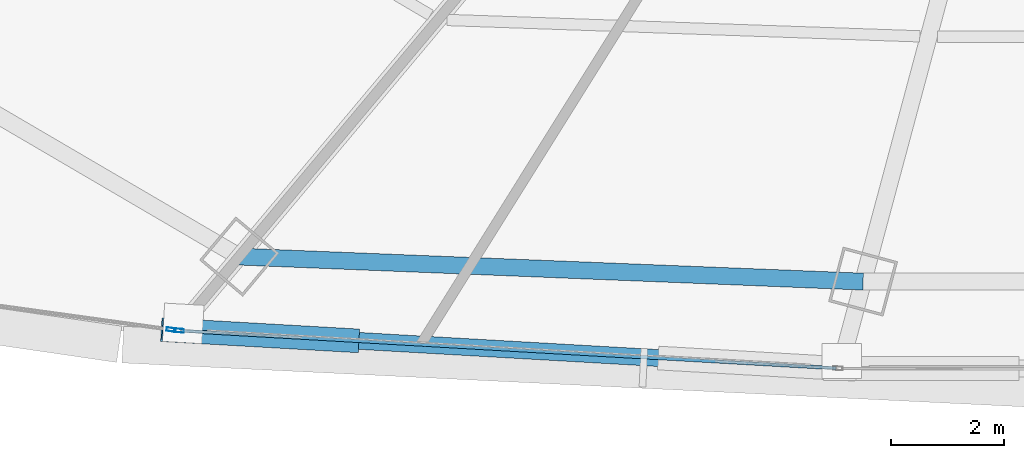
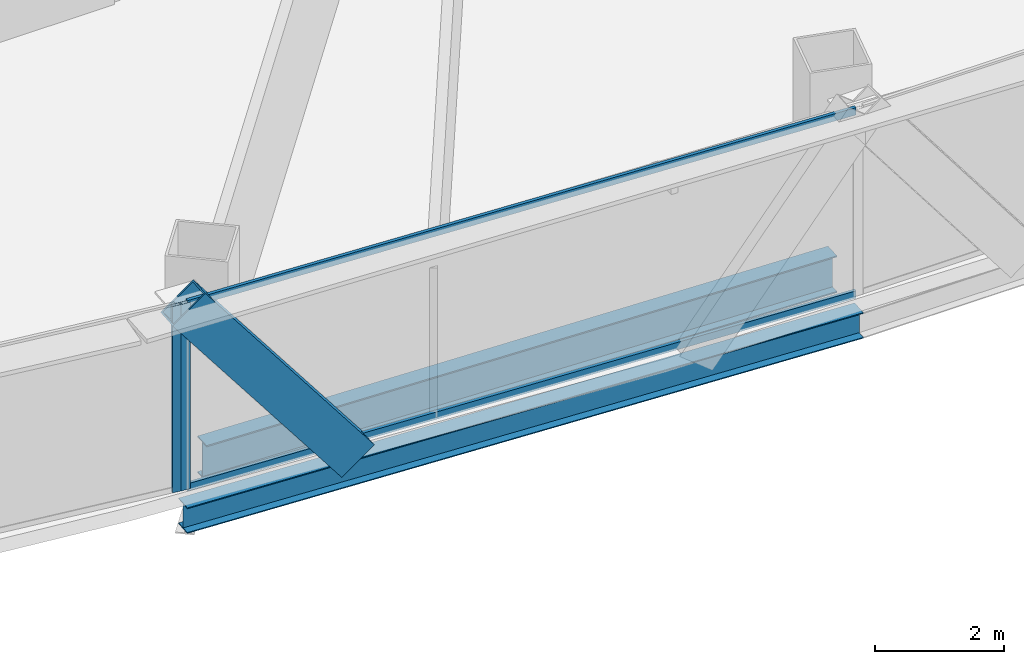
# One storey, part 6 of 36: 5 members, 2 beams, 2 elements without a shape of their own.
"""IFC4 building model written with IfcOpenShell, lengths in metres."""

from ifc_helpers import new_model, si_unit, direction, frame, origin, origin_2d, place, context, subcontext, project, spatial, hollow_rectangle, i_section, extrude, source, transform, mapped, material, layer, layer_set, material_profile, profile_set, type_object, element, aggregate, save


model = new_model("IFC4")

# Units and contexts
model_context = context("Model", 3, precision=1e-05, world=origin(), true_north=direction((0.0, 1.0)))
body_context = subcontext(model_context, "Body", "Model", "MODEL_VIEW")
ifc_project = project(units=[si_unit("LENGTHUNIT", "METRE"), si_unit("AREAUNIT", "SQUARE_METRE"), si_unit("VOLUMEUNIT", "CUBIC_METRE"), si_unit("PLANEANGLEUNIT", "RADIAN"), si_unit("MASSUNIT", "GRAM", prefix="KILO"), si_unit("THERMODYNAMICTEMPERATUREUNIT", "KELVIN"), si_unit("POWERUNIT", "WATT")], contexts=[model_context])

# Site, building, storey
site_placement = place(None, origin())
site = spatial("IfcSite", under=ifc_project, at=site_placement, CompositionType="ELEMENT")
building_placement = place(site_placement, origin())
building = spatial("IfcBuilding", under=site, at=building_placement, Name="Yunzhuo Pagoda Commons", CompositionType="ELEMENT")
storey_placement = place(building_placement, frame((0.0, 0.0, 107.780029296875)))
storey = spatial("IfcBuildingStorey", under=building, at=storey_placement, Name="L27", CompositionType="ELEMENT", Elevation=107.780029296875)

# Beams
ifc_material_1 = material(Name="Structural steel Q355B", Category="steel")
ifc_material_profile_1 = material_profile(ifc_material_1, i_section(OverallWidth=0.300048828125, OverallDepth=0.699951171875, WebThickness=0.012939453125, FlangeThickness=0.02392578125, at=origin_2d()), Name="Structural steel Q355B")
ifc_profile_set_1 = profile_set([ifc_material_profile_1], Name="Structural steel Q355B")
beam_type_1 = type_object("IfcBeamType", Name="B-RG1 Beam HN 700x300x13x24", PredefinedType="BEAM", material=ifc_profile_set_1)
shared_shape_1 = source(origin(), body_context, "Body", "SweptSolid", [
    extrude(i_section(OverallWidth=0.300048828125, OverallDepth=0.699951171875, WebThickness=0.012939453125, FlangeThickness=0.02392578125, at=origin_2d()), origin(), (0.0, 0.0, 1.0), 11.077392578125),
])
beam_1_placement = place(storey_placement, frame((31.56396484375, 14.1123046875, -0.610107421875), z_axis=(0.999196975427, -0.040067496776, 0.0), x_axis=(0.040067496776, 0.999196975427, 0.0)))
element("IfcBeam", 1, at=beam_1_placement, inside=storey, type_object=beam_type_1, Name="L27 column-ring beam 1", PredefinedType="BEAM", context=body_context, shape_type="MappedRepresentation", body=[
    mapped(shared_shape_1, transform((0.0, 0.0, 0.0), scale=1.0)),
])
ifc_material_profile_2 = material_profile(ifc_material_1, i_section(OverallWidth=0.300048828125, OverallDepth=0.488037109375, WebThickness=0.010986328125, FlangeThickness=0.01806640625, at=origin_2d()), Name="Structural steel Q355B")
ifc_profile_set_2 = profile_set([ifc_material_profile_2], Name="Structural steel Q355B")
beam_type_2 = type_object("IfcBeamType", Name="B-SP1 Beam HM 488x300x11x18", PredefinedType="BEAM", material=ifc_profile_set_2)
shared_shape_2 = source(origin(), body_context, "Body", "SweptSolid", [
    extrude(i_section(OverallWidth=0.300048828125, OverallDepth=0.488037109375, WebThickness=0.010986328125, FlangeThickness=0.01806640625, at=origin_2d()), origin(), (0.0, 0.0, 1.0), 11.775390625),
])
beam_2_placement = place(storey_placement, frame((30.463623046875, 12.80078125, -0.504150390625), z_axis=(0.998366134329, -0.057140719503, 0.0), x_axis=(0.057140719503, 0.998366134329, 0.0)))
element("IfcBeam", 2, at=beam_2_placement, inside=storey, type_object=beam_type_2, Name="L27 facade edge spandrel beam F1.1", PredefinedType="BEAM", context=body_context, shape_type="MappedRepresentation", body=[
    mapped(shared_shape_2, transform((0.0, 0.0, 0.0), scale=1.0)),
])

# Member
ifc_material_2 = material(Name="Structural steel Q420B", Category="steel")
ifc_material_profile_3 = material_profile(ifc_material_2, hollow_rectangle(XDim=0.419921875, YDim=0.719970703125, WallThickness=0.028076171875, at=origin_2d()), Name="Structural steel Q420B")
ifc_profile_set_3 = profile_set([ifc_material_profile_3], Name="Structural steel Q420B")
member_type_1 = type_object("IfcMemberType", Name="M-DL1 Brace BOX 720x420x28", PredefinedType="BRACE", material=ifc_profile_set_3)
shared_shape_3 = source(origin(), body_context, "Body", "SweptSolid", [
    extrude(hollow_rectangle(XDim=0.419921875, YDim=0.719970703125, WallThickness=0.028076171875, at=origin_2d()), origin(), (0.0, 0.0, 1.0), 4.806640625),
])
member_1_placement = place(storey_placement, frame((33.402587890625, 12.632568359375, -0.259765625), z_axis=(-0.611431406817, 0.034995534084, 0.79052321114), x_axis=(-0.057141902302, -0.998366066632, 0.0)))
element("IfcMember", 3, at=member_1_placement, inside=storey, type_object=member_type_1, Name="L27 facade diamond brace F1.1L", PredefinedType="BRACE", context=body_context, shape_type="MappedRepresentation", body=[
    mapped(shared_shape_3, transform((0.0, 0.0, 0.0), scale=1.0)),
])

# Curtain wall, member
ifc_material_3 = material(Name="Anodized aluminium 6063-T6", Category="aluminium")
ifc_layer = layer(ifc_material_3, 0.1650390625)
ifc_layer_set = layer_set([ifc_layer], Name="Anodized aluminium 6063-T6")
curtain_wall_type = type_object("IfcCurtainWallType", Name="CW-LOW Low-Zone Ribbon Curtain Wall", PredefinedType="NOTDEFINED", material=ifc_layer_set)
curtain_wall_1_placement = place(storey_placement, origin())
curtain_wall_1 = element("IfcCurtainWall", 4, at=curtain_wall_1_placement, inside=storey, type_object=curtain_wall_type, Name="L27 curtain wall CW-L27-F1B2", PredefinedType="NOTDEFINED")
ifc_material_profile_4 = material_profile(ifc_material_3, hollow_rectangle(XDim=0.06494140625, YDim=0.1650390625, WallThickness=0.00390625, at=origin_2d()), Name="Anodized aluminium 6063-T6")
ifc_profile_set_4 = profile_set([ifc_material_profile_4], Name="Anodized aluminium 6063-T6")
member_type_2 = type_object("IfcMemberType", Name="CW-LOW-M Mullion RHS 165x65x4", PredefinedType="MULLION", material=ifc_profile_set_4)
shared_shape_4 = source(origin(), body_context, "Body", "SweptSolid", [
    extrude(hollow_rectangle(XDim=0.06494140625, YDim=0.1650390625, WallThickness=0.00390625, at=origin_2d()), origin(), (0.0, 0.0, 1.0), 3.5400390625),
])
member_2_placement = place(storey_placement, frame((30.49609375, 12.799072265625, 0.0), z_axis=(0.0, 0.0, 1.0), x_axis=(0.057152816587, 0.998365441888, 0.0)))
member_2 = element("IfcMember", 5, at=member_2_placement, type_object=member_type_2, Name="CW mullion 1", PredefinedType="MULLION", context=body_context, shape_type="MappedRepresentation", body=[
    mapped(shared_shape_4, transform((0.0, 0.0, 0.0), scale=1.0)),
])

curtain_wall_2_placement = place(storey_placement, origin())
curtain_wall_2 = element("IfcCurtainWall", 6, at=curtain_wall_2_placement, inside=storey, type_object=curtain_wall_type, Name="L27 curtain wall CW-L27-F1B1", PredefinedType="NOTDEFINED")
member_3_placement = place(storey_placement, frame((30.357177734375, 12.815673828125, 0.0), z_axis=(0.0, 0.0, 1.0), x_axis=(0.137082225692, 0.990559671801, 0.0)))
member_3 = element("IfcMember", 7, at=member_3_placement, type_object=member_type_2, Name="CW mullion 2", PredefinedType="MULLION", context=body_context, shape_type="MappedRepresentation", body=[
    mapped(shared_shape_4, transform((0.0, 0.0, 0.0), scale=1.0)),
])
aggregate(curtain_wall_2, [member_3])

# Member
ifc_material_profile_5 = material_profile(ifc_material_3, hollow_rectangle(XDim=0.06005859375, YDim=0.139892578125, WallThickness=0.00341796875, at=origin_2d()), Name="Anodized aluminium 6063-T6")
ifc_profile_set_5 = profile_set([ifc_material_profile_5], Name="Anodized aluminium 6063-T6")
member_type_3 = type_object("IfcMemberType", Name="CW-LOW-T Transom RHS 140x60x3.5", PredefinedType="USERDEFINED", material=ifc_profile_set_5)
shared_shape_5 = source(origin(), body_context, "Body", "SweptSolid", [
    extrude(hollow_rectangle(XDim=0.06005859375, YDim=0.139892578125, WallThickness=0.00341796875, at=origin_2d()), origin(), (0.0, 0.0, 1.0), 11.64501953125),
])
member_4_placement = place(storey_placement, frame((30.52880859375, 12.797119140625, 0.030029296875), z_axis=(0.998365529275, -0.057151290063, 0.0), x_axis=(0.057151290063, 0.998365529275, 0.0)))
member_4 = element("IfcMember", 8, at=member_4_placement, type_object=member_type_3, Name="CW transom 1.1", ObjectType="TRANSOM", PredefinedType="USERDEFINED", context=body_context, shape_type="MappedRepresentation", body=[
    mapped(shared_shape_5, transform((0.0, 0.0, 0.0), scale=1.0)),
])

member_5_placement = place(storey_placement, frame((30.52880859375, 12.797119140625, 3.510009765625), z_axis=(0.998365529275, -0.057151290063, 0.0), x_axis=(0.057151290063, 0.998365529275, 0.0)))
member_5 = element("IfcMember", 9, at=member_5_placement, type_object=member_type_3, Name="CW transom 1.2", ObjectType="TRANSOM", PredefinedType="USERDEFINED", context=body_context, shape_type="MappedRepresentation", body=[
    mapped(shared_shape_5, transform((0.0, 0.0, 0.0), scale=1.0)),
])

aggregate(curtain_wall_1, [member_2, member_4, member_5])

save(model, "model.ifc")
